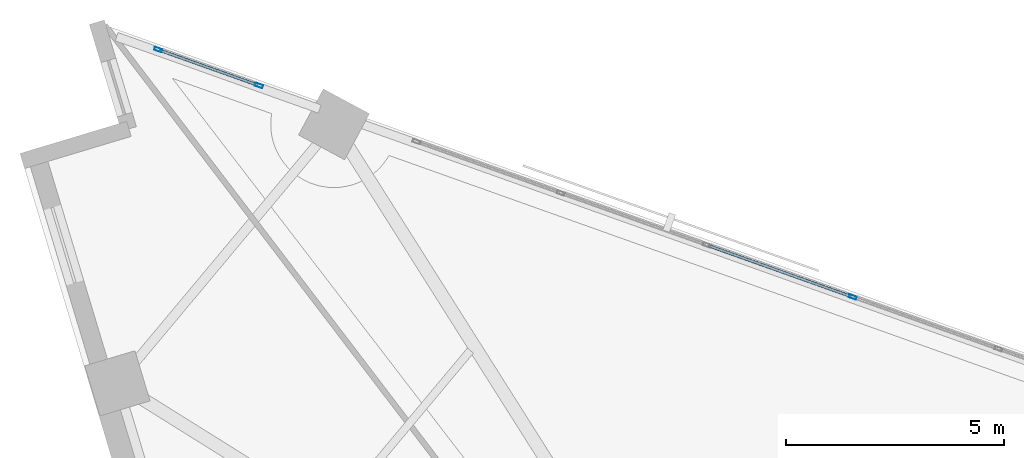
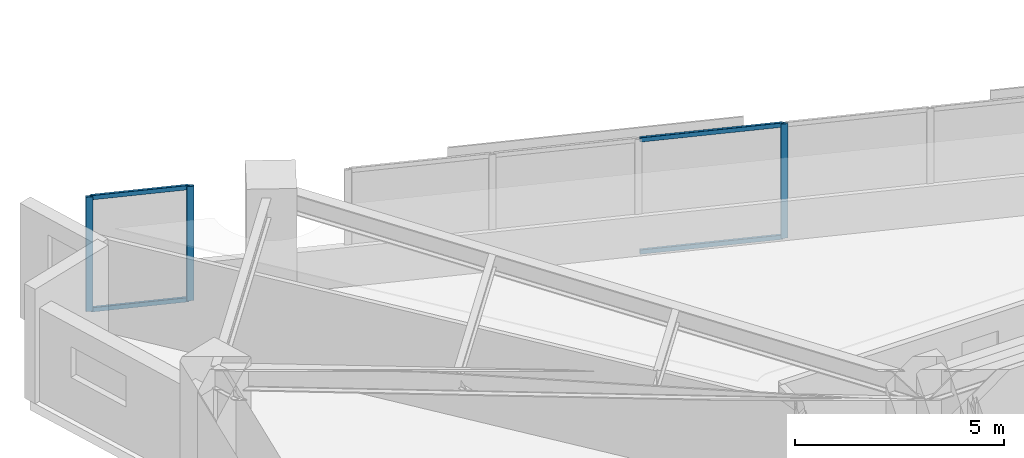
# One storey, part 7 of 16: 7 members, 2 elements without a shape of their own.
"""IFC4 building model written with IfcOpenShell, lengths in metres."""

from ifc_helpers import new_model, si_unit, direction, frame, origin, origin_2d, place, context, subcontext, project, spatial, hollow_rectangle, extrude, material, material_profile, profile_set, type_object, element, aggregate, save


model = new_model("IFC4")

# Units and contexts
model_context = context("Model", 3, precision=1e-05, world=origin(), true_north=direction((0.0, 1.0)))
body_context = subcontext(model_context, "Body", "Model", "MODEL_VIEW")
ifc_project = project(units=[si_unit("LENGTHUNIT", "METRE"), si_unit("AREAUNIT", "SQUARE_METRE"), si_unit("VOLUMEUNIT", "CUBIC_METRE"), si_unit("PLANEANGLEUNIT", "RADIAN"), si_unit("MASSUNIT", "GRAM", prefix="KILO")], contexts=[model_context])

# Site, building, storey
site_placement = place(None, origin())
site = spatial("IfcSite", under=ifc_project, at=site_placement, CompositionType="ELEMENT")
building_placement = place(site_placement, origin())
building = spatial("IfcBuilding", under=site, at=building_placement, Name="Narakoshi Arena Tower", CompositionType="ELEMENT")
storey_placement = place(building_placement, frame((0.0, 0.0, 150.300048828125)))
storey = spatial("IfcBuildingStorey", under=building, at=storey_placement, Name="L40", CompositionType="ELEMENT", Elevation=150.300048828125)

# Curtain wall, member
ifc_material = material(Name="Anodised bronze aluminium 6063-T6", Category="aluminium")
curtain_wall_type = type_object("IfcCurtainWallType", Name="CW-HYP-MID", PredefinedType="NOTDEFINED", material=ifc_material)
curtain_wall_1_placement = place(storey_placement, origin())
curtain_wall_1 = element("IfcCurtainWall", 1, at=curtain_wall_1_placement, inside=storey, type_object=curtain_wall_type, Name="L40 Folded Hypotenuse Curtain Wall 2-1", PredefinedType="NOTDEFINED")
ifc_material_profile_1 = material_profile(ifc_material, hollow_rectangle(XDim=0.074951171875, YDim=0.179931640625, WallThickness=0.00390625, OuterFilletRadius=0.0048828125, at=origin_2d()), Name="MUL180x75x4")
ifc_profile_set_1 = profile_set([ifc_material_profile_1], Name="Anodised bronze aluminium 6063-T6")
member_type_1 = type_object("IfcMemberType", Name="MEM-MUL-180", PredefinedType="MULLION", material=ifc_profile_set_1)
member_1_placement = place(storey_placement, frame((74.43701171875, 67.490966796875, 0.0), z_axis=(0.0, 0.0, 1.0), x_axis=(-0.335518297139, -0.94203368957, 0.0)))
member_1 = element("IfcMember", 2, at=member_1_placement, type_object=member_type_1, Name="CW-02 mullion 5", PredefinedType="MULLION", context=body_context, shape_type="SweptSolid", body=[
    extrude(hollow_rectangle(XDim=0.074951171875, YDim=0.179931640625, WallThickness=0.00390625, OuterFilletRadius=0.0048828125, at=origin_2d()), origin(), (0.0, 0.0, 1.0), 3.33984375),
])

# Curtain wall, members
curtain_wall_2_placement = place(storey_placement, origin())
curtain_wall_2 = element("IfcCurtainWall", 3, at=curtain_wall_2_placement, inside=storey, type_object=curtain_wall_type, Name="L40 Folded Hypotenuse Curtain Wall 2-2", PredefinedType="NOTDEFINED")
member_2_placement = place(storey_placement, frame((60.826416015625, 72.33837890625, 0.0), z_axis=(0.0, 0.0, 1.0), x_axis=(-0.335541869571, -0.942025293591, 0.0)))
member_2 = element("IfcMember", 4, at=member_2_placement, type_object=member_type_1, Name="CW-02 mullion 1", PredefinedType="MULLION", context=body_context, shape_type="SweptSolid", body=[
    extrude(hollow_rectangle(XDim=0.074951171875, YDim=0.179931640625, WallThickness=0.00390625, OuterFilletRadius=0.0048828125, at=origin_2d()), origin(), (0.0, 0.0, 1.0), 3.33984375),
])
member_3_placement = place(storey_placement, frame((58.515625, 73.16162109375, 0.0), z_axis=(0.0, 0.0, 1.0), x_axis=(-0.335541869571, -0.942025293591, 0.0)))
member_3 = element("IfcMember", 5, at=member_3_placement, type_object=member_type_1, Name="CW-02 mullion 2", PredefinedType="MULLION", context=body_context, shape_type="SweptSolid", body=[
    extrude(hollow_rectangle(XDim=0.074951171875, YDim=0.179931640625, WallThickness=0.00390625, OuterFilletRadius=0.0048828125, at=origin_2d()), origin(), (0.0, 0.0, 1.0), 3.33984375),
])

# Member
ifc_material_profile_2 = material_profile(ifc_material, hollow_rectangle(XDim=0.06494140625, YDim=0.1298828125, WallThickness=0.00390625, OuterFilletRadius=0.0048828125, at=origin_2d()), Name="TRN130x65x4")
ifc_profile_set_2 = profile_set([ifc_material_profile_2], Name="Anodised bronze aluminium 6063-T6")
member_type_2 = type_object("IfcMemberType", Name="MEM-TRN-130", PredefinedType="USERDEFINED", material=ifc_profile_set_2)
member_4_placement = place(storey_placement, frame((74.401611328125, 67.50341796875, 0.032470703125), z_axis=(-0.942037165195, 0.335508538477, 0.0), x_axis=(-0.335508538477, -0.942037165195, 0.0)))
member_4 = element("IfcMember", 6, at=member_4_placement, type_object=member_type_2, Name="CW-02 transom 5.1", ObjectType="TRANSOM", PredefinedType="USERDEFINED", context=body_context, shape_type="SweptSolid", body=[
    extrude(hollow_rectangle(XDim=0.06494140625, YDim=0.1298828125, WallThickness=0.00390625, OuterFilletRadius=0.0048828125, at=origin_2d()), origin(), (0.0, 0.0, 1.0), 3.475341796875),
])

member_5_placement = place(storey_placement, frame((74.401611328125, 67.50341796875, 3.307373046875), z_axis=(-0.942037165195, 0.335508538477, 0.0), x_axis=(-0.335508538477, -0.942037165195, 0.0)))
member_5 = element("IfcMember", 7, at=member_5_placement, type_object=member_type_2, Name="CW-02 transom 5.2", ObjectType="TRANSOM", PredefinedType="USERDEFINED", context=body_context, shape_type="SweptSolid", body=[
    extrude(hollow_rectangle(XDim=0.06494140625, YDim=0.1298828125, WallThickness=0.00390625, OuterFilletRadius=0.0048828125, at=origin_2d()), origin(), (0.0, 0.0, 1.0), 3.475341796875),
])

aggregate(curtain_wall_1, [member_1, member_4, member_5])

member_6_placement = place(storey_placement, frame((60.791015625, 72.35107421875, 0.032470703125), z_axis=(-0.942027291531, 0.335536260351, 0.0), x_axis=(-0.335536260351, -0.942027291531, 0.0)))
member_6 = element("IfcMember", 8, at=member_6_placement, type_object=member_type_2, Name="CW-02 transom 1.1", ObjectType="TRANSOM", PredefinedType="USERDEFINED", context=body_context, shape_type="SweptSolid", body=[
    extrude(hollow_rectangle(XDim=0.06494140625, YDim=0.1298828125, WallThickness=0.00390625, OuterFilletRadius=0.0048828125, at=origin_2d()), origin(), (0.0, 0.0, 1.0), 2.3779296875),
])

member_7_placement = place(storey_placement, frame((60.791015625, 72.35107421875, 3.307373046875), z_axis=(-0.942027291531, 0.335536260351, 0.0), x_axis=(-0.335536260351, -0.942027291531, 0.0)))
member_7 = element("IfcMember", 9, at=member_7_placement, type_object=member_type_2, Name="CW-02 transom 1.2", ObjectType="TRANSOM", PredefinedType="USERDEFINED", context=body_context, shape_type="SweptSolid", body=[
    extrude(hollow_rectangle(XDim=0.06494140625, YDim=0.1298828125, WallThickness=0.00390625, OuterFilletRadius=0.0048828125, at=origin_2d()), origin(), (0.0, 0.0, 1.0), 2.3779296875),
])

aggregate(curtain_wall_2, [member_2, member_3, member_6, member_7])

save(model, "model.ifc")
